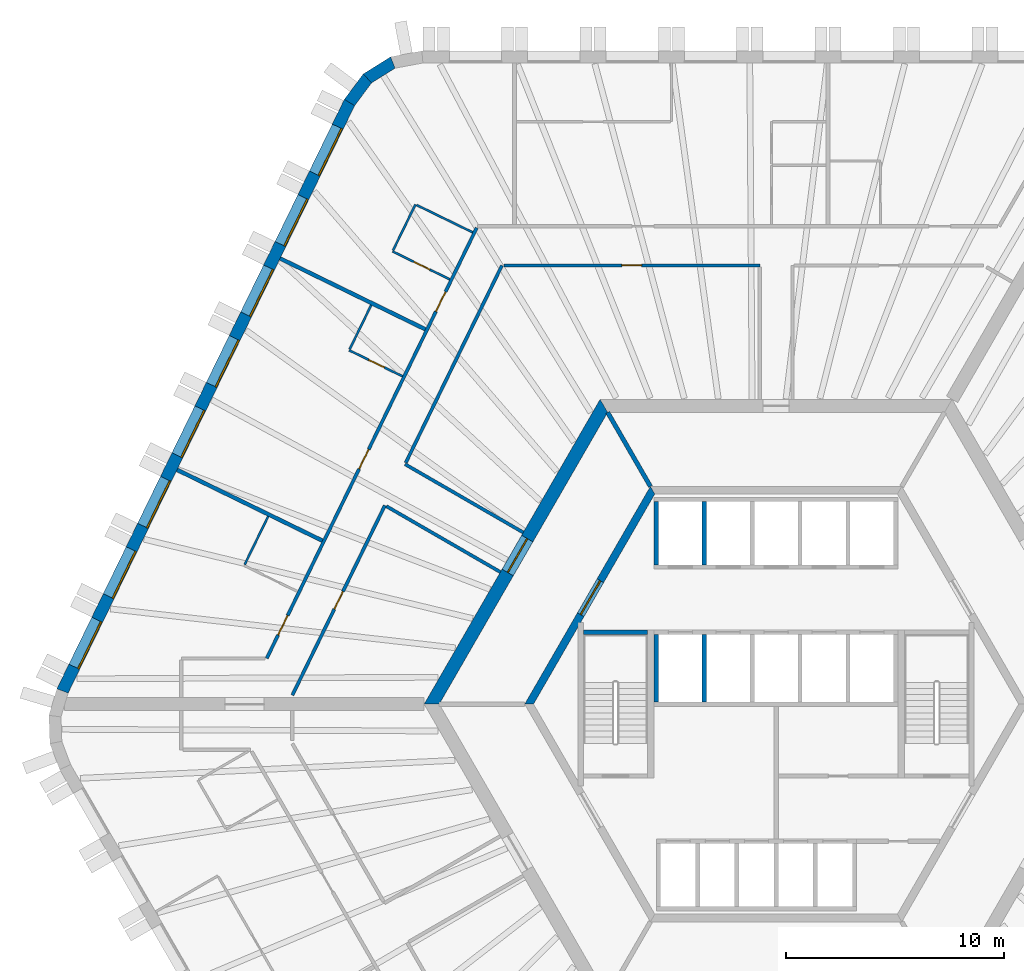
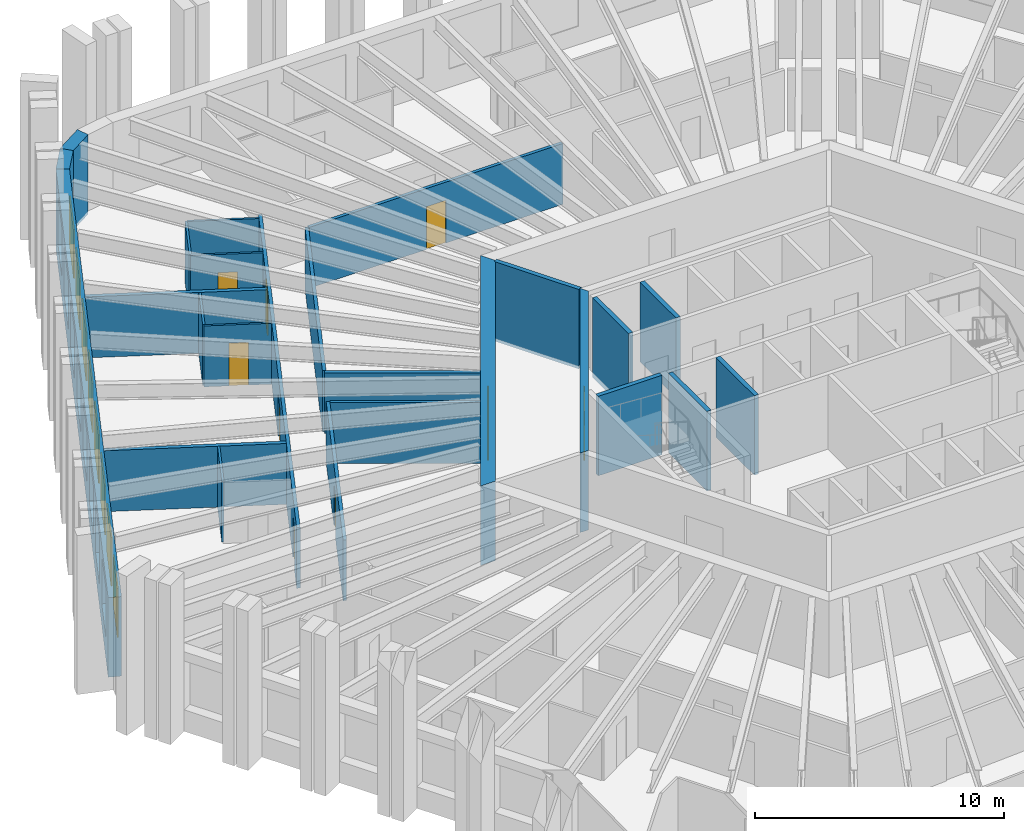
# One storey, part 7 of 12: 25 walls, 9 doors, 8 windows, 17 openings.
"""IFC4 building model written with IfcOpenShell, lengths in metres."""

from ifc_helpers import new_model, si_unit, direction, frame, frame_2d, origin, place, context, subcontext, project, spatial, polyline, rectangle, outline, extrude, material, layer, layer_set, type_object, element, fill, save


model = new_model("IFC4")

# Units and contexts
model_context = context("Model", 3, precision=1e-05, world=origin(), true_north=direction((0.0, 1.0)))
body_context = subcontext(model_context, "Body", "Model", "MODEL_VIEW")
ifc_project = project(units=[si_unit("LENGTHUNIT", "METRE"), si_unit("AREAUNIT", "SQUARE_METRE"), si_unit("VOLUMEUNIT", "CUBIC_METRE"), si_unit("PLANEANGLEUNIT", "RADIAN"), si_unit("MASSUNIT", "GRAM", prefix="KILO")], contexts=[model_context])

# Site, building, storey
site_placement = place(None, origin())
site = spatial("IfcSite", under=ifc_project, at=site_placement, CompositionType="ELEMENT")
building_placement = place(site_placement, origin())
building = spatial("IfcBuilding", under=site, at=building_placement, Name="Tarnside Tower", CompositionType="ELEMENT")
storey_placement = place(building_placement, frame((0.0, 0.0, 60.89990234375)))
storey = spatial("IfcBuildingStorey", under=building, at=storey_placement, Name="L12", CompositionType="ELEMENT", Elevation=60.89990234375)

# Wall, opening, door
ifc_material_1 = material(Name="Gypsum board partition on steel studs", Category="steel")
ifc_layer_1 = layer(ifc_material_1, 0.10009765625)
ifc_layer_set_1 = layer_set([ifc_layer_1], Name="Bathroom wall 100")
wall_type_1 = type_object("IfcWallType", Name="Bathroom wall 100", PredefinedType="PARTITIONING", material=ifc_layer_set_1)
wall_1_placement = place(storey_placement, frame((-14.98876953125, 19.51123046875, 0.0), z_axis=(0.0, 0.0, 1.0), x_axis=(-0.898790906006, 0.438377585285, 0.0)))
wall_1 = element("IfcWall", 1, at=wall_1_placement, inside=storey, type_object=wall_type_1, Name="Bathroom wall 03086", PredefinedType="PARTITIONING", context=body_context, shape_type="SweptSolid", body=[
    extrude(rectangle(XDim=2.925048828125, YDim=0.10009765625, at=frame_2d((1.46240234375, 0.0))), origin(), (0.0, 0.0, 1.0), 2.98779296875),
])
opening_1_placement = place(wall_1_placement, frame((1.02490234375, 0.0, 0.0)))
opening_1 = element("IfcOpeningElement", 2, at=opening_1_placement, cuts=wall_1, Name="Opening D-B1", PredefinedType="OPENING", context=body_context, shape_type="SweptSolid", body=[
    extrude(rectangle(XDim=0.800048828125, YDim=2.10009765625, at=frame_2d((0.39990234375, 1.050048828125))), frame((0.0, 0.06005859375, 0.0), z_axis=(0.0, -1.0, 0.0), x_axis=(1.0, 0.0, 0.0)), (0.0, 0.0, 1.0), 0.1201171875),
])
ifc_material_2 = material(Name="Timber door leaf", Category="wood")
door_type_1 = type_object("IfcDoorType", Name="Bathroom door 800", OperationType="NOTDEFINED", PredefinedType="DOOR", material=ifc_material_2)
door_1_placement = place(opening_1_placement, origin())
door_1 = element("IfcDoor", 3, at=door_1_placement, inside=storey, type_object=door_type_1, Name="Bathroom door 03008", OperationType="SINGLE_SWING_RIGHT", OverallHeight=2.10009765625, OverallWidth=0.800048828125, PredefinedType="DOOR", context=body_context, shape_type="SweptSolid", body=[
    extrude(rectangle(XDim=0.800048828125, YDim=2.10009765625, at=frame_2d((0.39990234375, 1.050048828125))), frame((0.0, 0.02490234375, 0.0), z_axis=(0.0, -1.0, 0.0), x_axis=(1.0, 0.0, 0.0)), (0.0, 0.0, 1.0), 0.050048828125),
])
fill(opening_1, door_1)

# Walls
wall_2_placement = place(storey_placement, frame((-17.595947265625, 20.83837890625, 0.0), z_axis=(0.0, 0.0, 1.0), x_axis=(0.438423632021, 0.898768445644, 0.0)))
element("IfcWall", 4, at=wall_2_placement, inside=storey, type_object=wall_type_1, Name="Bathroom wall 03087", PredefinedType="PARTITIONING", context=body_context, shape_type="SweptSolid", body=[
    extrude(rectangle(XDim=2.349853515625, YDim=0.10009765625, at=frame_2d((1.1748046875, 0.0))), origin(), (0.0, 0.0, 1.0), 2.98779296875),
])
wall_3_placement = place(storey_placement, frame((-16.520751953125, 22.9287109375, 0.0), z_axis=(0.0, 0.0, 1.0), x_axis=(0.898765997266, -0.438428651161, 0.0)))
element("IfcWall", 5, at=wall_3_placement, inside=storey, type_object=wall_type_1, Name="Bathroom wall 03088", PredefinedType="PARTITIONING", context=body_context, shape_type="SweptSolid", body=[
    extrude(rectangle(XDim=2.875, YDim=0.10009765625, at=frame_2d((1.4375, 0.0))), origin(), (0.0, 0.0, 1.0), 2.98779296875),
])

# Wall, opening, door
wall_4_placement = place(storey_placement, frame((-17.160888671875, 15.057861328125, 0.0), z_axis=(0.0, 0.0, 1.0), x_axis=(-0.898791692788, 0.43837597217, 0.0)))
wall_4 = element("IfcWall", 6, at=wall_4_placement, inside=storey, type_object=wall_type_1, Name="Bathroom wall 03091", PredefinedType="PARTITIONING", context=body_context, shape_type="SweptSolid", body=[
    extrude(rectangle(XDim=2.72509765625, YDim=0.10009765625, at=frame_2d((1.362548828125, 0.0))), origin(), (0.0, 0.0, 1.0), 2.98779296875),
])
opening_2_placement = place(wall_4_placement, frame((0.925048828125, 0.0, 0.0)))
opening_2 = element("IfcOpeningElement", 7, at=opening_2_placement, cuts=wall_4, Name="Opening D-B1", PredefinedType="OPENING", context=body_context, shape_type="SweptSolid", body=[
    extrude(rectangle(XDim=0.800048828125, YDim=2.10009765625, at=frame_2d((0.39990234375, 1.050048828125))), frame((0.0, 0.06005859375, 0.0), z_axis=(0.0, -1.0, 0.0), x_axis=(1.0, 0.0, 0.0)), (0.0, 0.0, 1.0), 0.1201171875),
])
door_2_placement = place(opening_2_placement, origin())
door_2 = element("IfcDoor", 8, at=door_2_placement, inside=storey, type_object=door_type_1, Name="Bathroom door 03010", OperationType="SINGLE_SWING_RIGHT", OverallHeight=2.10009765625, OverallWidth=0.800048828125, PredefinedType="DOOR", context=body_context, shape_type="SweptSolid", body=[
    extrude(rectangle(XDim=0.800048828125, YDim=2.10009765625, at=frame_2d((0.39990234375, 1.050048828125))), frame((0.0, 0.02490234375, 0.0), z_axis=(0.0, -1.0, 0.0), x_axis=(1.0, 0.0, 0.0)), (0.0, 0.0, 1.0), 0.050048828125),
])
fill(opening_2, door_2)

# Walls
wall_5_placement = place(storey_placement, frame((-19.588134765625, 16.29736328125, 0.0), z_axis=(0.0, 0.0, 1.0), x_axis=(0.438376807268, 0.898791285477, 0.0)))
element("IfcWall", 9, at=wall_5_placement, inside=storey, type_object=wall_type_1, Name="Bathroom wall 03092", PredefinedType="PARTITIONING", context=body_context, shape_type="SweptSolid", body=[
    extrude(rectangle(XDim=2.260009765625, YDim=0.10009765625, at=frame_2d((1.1298828125, 0.0))), origin(), (0.0, 0.0, 1.0), 2.98779296875),
])
wall_6_placement = place(storey_placement, frame((-24.41015625, 6.41064453125, 0.0), z_axis=(0.0, 0.0, 1.0), x_axis=(0.438378657462, 0.89879038306, 0.0)))
element("IfcWall", 10, at=wall_6_placement, inside=storey, type_object=wall_type_1, Name="Bathroom wall 03096", PredefinedType="PARTITIONING", context=body_context, shape_type="SweptSolid", body=[
    extrude(rectangle(XDim=2.4599609375, YDim=0.10009765625, at=frame_2d((1.22998046875, 0.0))), origin(), (0.0, 0.0, 1.0), 2.98779296875),
])

# Wall, opening, door
ifc_material_3 = material(Name="Concrete C50/60", Category="concrete")
ifc_layer_2 = layer(ifc_material_3, 0.35009765625)
ifc_layer_set_2 = layer_set([ifc_layer_2], Name="Core block wall 350 C50/60")
wall_type_2 = type_object("IfcWallType", Name="Core block wall 350 C50/60", PredefinedType="SHEAR", material=ifc_layer_set_2)
wall_7_placement = place(storey_placement, frame((-5.672607421875, 9.824951171875, -0.14990234375), z_axis=(0.0, 0.0, 1.0), x_axis=(-0.499995046907, -0.866028263435, 0.0)))
wall_7 = element("IfcWall", 11, at=wall_7_placement, inside=storey, type_object=wall_type_2, Name="L12 core block wall face 2", PredefinedType="SHEAR", context=body_context, shape_type="SweptSolid", body=[
    extrude(outline(polyline([(-0.10107421875, -0.175048828125), (11.44580078125, -0.175048828125), (11.24365234375, 0.175048828125), (0.10107421875, 0.175048828125), (-0.10107421875, -0.175048828125)])), origin(), (0.0, 0.0, 1.0), 3.89990234375),
])
opening_3_placement = place(wall_7_placement, frame((4.80126953125, 0.0, 0.14990234375)))
opening_3 = element("IfcOpeningElement", 12, at=opening_3_placement, cuts=wall_7, Name="Opening CD-LOB", PredefinedType="OPENING", context=body_context, shape_type="SweptSolid", body=[
    extrude(rectangle(XDim=1.800048828125, YDim=2.39990234375, at=frame_2d((0.89990234375, 1.199951171875))), frame((0.0, 0.18505859375, 0.0), z_axis=(0.0, -1.0, 0.0), x_axis=(1.0, 0.0, 0.0)), (0.0, 0.0, 1.0), 0.3701171875),
])
ifc_material_4 = material(Name="Steel fire door", Category="steel")
door_type_2 = type_object("IfcDoorType", Name="Lobby double door FD30S 1800x2400", OperationType="NOTDEFINED", PredefinedType="DOOR", material=ifc_material_4)
door_3_placement = place(opening_3_placement, origin())
door_3 = element("IfcDoor", 13, at=door_3_placement, inside=storey, type_object=door_type_2, Name="L12 lobby block door P1", OperationType="DOUBLE_DOOR_SINGLE_SWING", OverallHeight=2.39990234375, OverallWidth=1.800048828125, PredefinedType="DOOR", context=body_context, shape_type="SweptSolid", body=[
    extrude(rectangle(XDim=1.800048828125, YDim=2.39990234375, at=frame_2d((0.89990234375, 1.199951171875))), frame((0.0, 0.02490234375, 0.0), z_axis=(0.0, -1.0, 0.0), x_axis=(1.0, 0.0, 0.0)), (0.0, 0.0, 1.0), 0.050048828125),
])
fill(opening_3, door_3)

ifc_material_5 = material(Name="Concrete C80/95", Category="concrete")
ifc_layer_3 = layer(ifc_material_5, 0.60009765625)
ifc_layer_set_3 = layer_set([ifc_layer_3], Name="Core wall Z1 600 C80/95")
wall_type_3 = type_object("IfcWallType", Name="Core wall Z1 600 C80/95", PredefinedType="SHEAR", material=ifc_layer_set_3)
wall_8_placement = place(storey_placement, frame((-7.90966796875, 13.699951171875, -0.14990234375), z_axis=(0.0, 0.0, 1.0), x_axis=(-0.499999880136, -0.866025472988, 0.0)))
wall_8 = element("IfcWall", 14, at=wall_8_placement, inside=storey, type_object=wall_type_3, Name="L12 core wall face 2", PredefinedType="SHEAR", context=body_context, shape_type="SweptSolid", body=[
    extrude(outline(polyline([(-0.17333984375, -0.300048828125), (15.99267578125, -0.300048828125), (15.64599609375, 0.300048828125), (0.17333984375, 0.300048828125), (-0.17333984375, -0.300048828125)])), origin(), (0.0, 0.0, 1.0), 3.89990234375),
])
opening_4_placement = place(wall_8_placement, frame((7.03857421875, 0.0, 0.14990234375)))
opening_4 = element("IfcOpeningElement", 15, at=opening_4_placement, cuts=wall_8, Name="Opening CD-LOB", PredefinedType="OPENING", context=body_context, shape_type="SweptSolid", body=[
    extrude(rectangle(XDim=1.800048828125, YDim=2.39990234375, at=frame_2d((0.89990234375, 1.199951171875))), frame((0.0, 0.31005859375, 0.0), z_axis=(0.0, -1.0, 0.0), x_axis=(1.0, 0.0, 0.0)), (0.0, 0.0, 1.0), 0.6201171875),
])
door_4_placement = place(opening_4_placement, origin())
door_4 = element("IfcDoor", 16, at=door_4_placement, inside=storey, type_object=door_type_2, Name="L12 core door P1", OperationType="DOUBLE_DOOR_SINGLE_SWING", OverallHeight=2.39990234375, OverallWidth=1.800048828125, PredefinedType="DOOR", context=body_context, shape_type="SweptSolid", body=[
    extrude(rectangle(XDim=1.800048828125, YDim=2.39990234375, at=frame_2d((0.89990234375, 1.199951171875))), frame((0.0, 0.02490234375, 0.0), z_axis=(0.0, -1.0, 0.0), x_axis=(1.0, 0.0, 0.0)), (0.0, 0.0, 1.0), 0.050048828125),
])
fill(opening_4, door_4)

# Wall, openings, doors
ifc_layer_4 = layer(ifc_material_1, 0.14990234375)
ifc_layer_set_4 = layer_set([ifc_layer_4], Name="Corridor wall 150 EI 60")
wall_type_4 = type_object("IfcWallType", Name="Corridor wall 150 EI 60", PredefinedType="PARTITIONING", material=ifc_layer_set_4)
wall_9_placement = place(storey_placement, frame((-13.75244140625, 21.875, 0.0), z_axis=(0.0, 0.0, 1.0), x_axis=(-0.438376846054, -0.898791266559, 0.0)))
wall_9 = element("IfcWall", 17, at=wall_9_placement, inside=storey, type_object=wall_type_4, Name="Corridor wall 03007", PredefinedType="PARTITIONING", context=body_context, shape_type="SweptSolid", body=[
    extrude(rectangle(XDim=22.001708984375, YDim=0.14990234375, at=frame_2d((11.0009765625, 0.0))), origin(), (0.0, 0.0, 1.0), 2.98779296875),
])
opening_5_placement = place(wall_9_placement, frame((3.26904296875, 0.0, 0.0)))
opening_5 = element("IfcOpeningElement", 18, at=opening_5_placement, cuts=wall_9, Name="Opening D-E1", PredefinedType="OPENING", context=body_context, shape_type="SweptSolid", body=[
    extrude(rectangle(XDim=1.0, YDim=2.10009765625, at=frame_2d((0.5, 1.050048828125))), frame((0.0, 0.0849609375, 0.0), z_axis=(0.0, -1.0, 0.0), x_axis=(1.0, 0.0, 0.0)), (0.0, 0.0, 1.0), 0.169921875),
])
opening_6_placement = place(wall_9_placement, frame((11.3212890625, 0.0, 0.0)))
opening_6 = element("IfcOpeningElement", 19, at=opening_6_placement, cuts=wall_9, Name="Opening D-E1", PredefinedType="OPENING", context=body_context, shape_type="SweptSolid", body=[
    extrude(rectangle(XDim=1.0, YDim=2.10009765625, at=frame_2d((0.5, 1.050048828125))), frame((0.0, 0.0849609375, 0.0), z_axis=(0.0, -1.0, 0.0), x_axis=(1.0, 0.0, 0.0)), (0.0, 0.0, 1.0), 0.169921875),
])
opening_7_placement = place(wall_9_placement, frame((19.8115234375, 0.0, 0.0)))
opening_7 = element("IfcOpeningElement", 20, at=opening_7_placement, cuts=wall_9, Name="Opening D-E1", PredefinedType="OPENING", context=body_context, shape_type="SweptSolid", body=[
    extrude(rectangle(XDim=1.0, YDim=2.10009765625, at=frame_2d((0.5, 1.050048828125))), frame((0.0, 0.0849609375, 0.0), z_axis=(0.0, -1.0, 0.0), x_axis=(1.0, 0.0, 0.0)), (0.0, 0.0, 1.0), 0.169921875),
])
door_type_3 = type_object("IfcDoorType", Name="Unit entrance door 1000 FD30S", OperationType="NOTDEFINED", PredefinedType="DOOR", material=ifc_material_2)
door_5_placement = place(opening_5_placement, origin())
door_5 = element("IfcDoor", 21, at=door_5_placement, inside=storey, type_object=door_type_3, Name="Unit door 03007", OperationType="SINGLE_SWING_LEFT", OverallHeight=2.10009765625, OverallWidth=1.0, PredefinedType="DOOR", context=body_context, shape_type="SweptSolid", body=[
    extrude(rectangle(XDim=1.0, YDim=2.10009765625, at=frame_2d((0.5, 1.050048828125))), frame((0.0, 0.02490234375, 0.0), z_axis=(0.0, -1.0, 0.0), x_axis=(1.0, 0.0, 0.0)), (0.0, 0.0, 1.0), 0.050048828125),
])
fill(opening_5, door_5)
door_6_placement = place(opening_6_placement, origin())
door_6 = element("IfcDoor", 22, at=door_6_placement, inside=storey, type_object=door_type_3, Name="Unit door 03009", OperationType="SINGLE_SWING_LEFT", OverallHeight=2.10009765625, OverallWidth=1.0, PredefinedType="DOOR", context=body_context, shape_type="SweptSolid", body=[
    extrude(rectangle(XDim=1.0, YDim=2.10009765625, at=frame_2d((0.5, 1.050048828125))), frame((0.0, 0.02490234375, 0.0), z_axis=(0.0, -1.0, 0.0), x_axis=(1.0, 0.0, 0.0)), (0.0, 0.0, 1.0), 0.050048828125),
])
fill(opening_6, door_6)
door_7_placement = place(opening_7_placement, origin())
door_7 = element("IfcDoor", 23, at=door_7_placement, inside=storey, type_object=door_type_3, Name="Unit door 03011", OperationType="SINGLE_SWING_RIGHT", OverallHeight=2.10009765625, OverallWidth=1.0, PredefinedType="DOOR", context=body_context, shape_type="SweptSolid", body=[
    extrude(rectangle(XDim=1.0, YDim=2.10009765625, at=frame_2d((0.5, 1.050048828125))), frame((0.0, 0.02490234375, 0.0), z_axis=(0.0, -1.0, 0.0), x_axis=(1.0, 0.0, 0.0)), (0.0, 0.0, 1.0), 0.050048828125),
])
fill(opening_7, door_7)

# Walls
wall_10_placement = place(storey_placement, frame((-11.61376953125, 7.88427734375, 0.0), z_axis=(0.0, 0.0, 1.0), x_axis=(-0.866025438137, 0.4999999405, 0.0)))
element("IfcWall", 24, at=wall_10_placement, inside=storey, type_object=wall_type_4, Name="Corridor wall 03017", PredefinedType="PARTITIONING", context=body_context, shape_type="SweptSolid", body=[
    extrude(rectangle(XDim=6.2705078125, YDim=0.14990234375, at=frame_2d((3.13525390625, 0.0))), origin(), (0.0, 0.0, 1.0), 2.98779296875),
])
wall_11_placement = place(storey_placement, frame((-17.01123046875, 11.087158203125, 0.0), z_axis=(0.0, 0.0, 1.0), x_axis=(0.43836877185, 0.898795204631, 0.0)))
element("IfcWall", 25, at=wall_11_placement, inside=storey, type_object=wall_type_4, Name="Corridor wall 03018", PredefinedType="PARTITIONING", context=body_context, shape_type="SweptSolid", body=[
    extrude(rectangle(XDim=10.083251953125, YDim=0.14990234375, at=frame_2d((5.04150390625, 0.0))), origin(), (0.0, 0.0, 1.0), 2.98779296875),
])

# Wall, opening, door
wall_12_placement = place(storey_placement, frame((-12.507568359375, 20.14990234375, 0.0), z_axis=(0.0, 0.0, 1.0), x_axis=(1.0, 0.0, 0.0)))
wall_12 = element("IfcWall", 26, at=wall_12_placement, inside=storey, type_object=wall_type_4, Name="Corridor wall 03019", PredefinedType="PARTITIONING", context=body_context, shape_type="SweptSolid", body=[
    extrude(rectangle(XDim=11.757568359375, YDim=0.14990234375, at=frame_2d((5.87890625, 0.0))), origin(), (0.0, 0.0, 1.0), 2.98779296875),
])
opening_8_placement = place(wall_12_placement, frame((5.428955078125, 0.0, 0.0)))
opening_8 = element("IfcOpeningElement", 27, at=opening_8_placement, cuts=wall_12, Name="Opening D-S1", PredefinedType="OPENING", context=body_context, shape_type="SweptSolid", body=[
    extrude(rectangle(XDim=0.89990234375, YDim=2.10009765625, at=frame_2d((0.449951171875, 1.050048828125))), frame((0.0, 0.0849609375, 0.0), z_axis=(0.0, -1.0, 0.0), x_axis=(1.0, 0.0, 0.0)), (0.0, 0.0, 1.0), 0.169921875),
])
door_type_4 = type_object("IfcDoorType", Name="Service room door 900 FD30S", OperationType="NOTDEFINED", PredefinedType="DOOR", material=ifc_material_2)
door_8_placement = place(opening_8_placement, origin())
door_8 = element("IfcDoor", 28, at=door_8_placement, inside=storey, type_object=door_type_4, Name="Service door 03039", OperationType="SINGLE_SWING_RIGHT", OverallHeight=2.10009765625, OverallWidth=0.89990234375, PredefinedType="DOOR", context=body_context, shape_type="SweptSolid", body=[
    extrude(rectangle(XDim=0.89990234375, YDim=2.10009765625, at=frame_2d((0.449951171875, 1.050048828125))), frame((0.0, 0.02490234375, 0.0), z_axis=(0.0, -1.0, 0.0), x_axis=(1.0, 0.0, 0.0)), (0.0, 0.0, 1.0), 0.050048828125),
])
fill(opening_8, door_8)

wall_13_placement = place(storey_placement, frame((-22.218994140625, 0.41015625, 0.0), z_axis=(0.0, 0.0, 1.0), x_axis=(0.438391891827, 0.898783927972, 0.0)))
wall_13 = element("IfcWall", 29, at=wall_13_placement, inside=storey, type_object=wall_type_4, Name="Corridor wall 03024", PredefinedType="PARTITIONING", context=body_context, shape_type="SweptSolid", body=[
    extrude(rectangle(XDim=9.698974609375, YDim=0.14990234375, at=frame_2d((4.849609375, 0.0))), origin(), (0.0, 0.0, 1.0), 2.98779296875),
])
opening_9_placement = place(wall_13_placement, frame((4.399658203125, 0.0, 0.0)))
opening_9 = element("IfcOpeningElement", 30, at=opening_9_placement, cuts=wall_13, Name="Opening D-S1", PredefinedType="OPENING", context=body_context, shape_type="SweptSolid", body=[
    extrude(rectangle(XDim=0.89990234375, YDim=2.10009765625, at=frame_2d((0.449951171875, 1.050048828125))), frame((0.0, 0.0849609375, 0.0), z_axis=(0.0, -1.0, 0.0), x_axis=(1.0, 0.0, 0.0)), (0.0, 0.0, 1.0), 0.169921875),
])
door_9_placement = place(opening_9_placement, origin())
door_9 = element("IfcDoor", 31, at=door_9_placement, inside=storey, type_object=door_type_4, Name="Service door 03041", OperationType="SINGLE_SWING_LEFT", OverallHeight=2.10009765625, OverallWidth=0.89990234375, PredefinedType="DOOR", context=body_context, shape_type="SweptSolid", body=[
    extrude(rectangle(XDim=0.89990234375, YDim=2.10009765625, at=frame_2d((0.449951171875, 1.050048828125))), frame((0.0, 0.02490234375, 0.0), z_axis=(0.0, -1.0, 0.0), x_axis=(1.0, 0.0, 0.0)), (0.0, 0.0, 1.0), 0.050048828125),
])
fill(opening_9, door_9)

# Walls
wall_14_placement = place(storey_placement, frame((-17.902099609375, 9.08984375, 0.0), z_axis=(0.0, 0.0, 1.0), x_axis=(0.866036368755, -0.499981007633, 0.0)))
element("IfcWall", 32, at=wall_14_placement, inside=storey, type_object=wall_type_4, Name="Corridor wall 03025", PredefinedType="PARTITIONING", context=body_context, shape_type="SweptSolid", body=[
    extrude(rectangle(XDim=6.048583984375, YDim=0.14990234375, at=frame_2d((3.0244140625, 0.0))), origin(), (0.0, 0.0, 1.0), 2.98779296875),
])
ifc_layer_5 = layer(ifc_material_1, 0.179931640625)
ifc_layer_set_5 = layer_set([ifc_layer_5], Name="Demising wall 180 EI 60")
wall_type_5 = type_object("IfcWallType", Name="Demising wall 180 EI 60", PredefinedType="PARTITIONING", material=ifc_layer_set_5)
wall_15_placement = place(storey_placement, frame((-22.7822265625, 20.469970703125, 0.0), z_axis=(0.0, 0.0, 1.0), x_axis=(0.898783297359, -0.438393184697, 0.0)))
element("IfcWall", 33, at=wall_15_placement, inside=storey, type_object=wall_type_5, Name="Demising wall 03089", PredefinedType="PARTITIONING", context=body_context, shape_type="SweptSolid", body=[
    extrude(rectangle(XDim=7.425048828125, YDim=0.179931640625, at=frame_2d((3.71240234375, 0.0))), origin(), (0.0, 0.0, 1.0), 2.98779296875),
])
wall_16_placement = place(storey_placement, frame((-27.5166015625, 10.762939453125, 0.0), z_axis=(0.0, 0.0, 1.0), x_axis=(0.898789933843, -0.438379578473, 0.0)))
element("IfcWall", 34, at=wall_16_placement, inside=storey, type_object=wall_type_5, Name="Demising wall 03093", PredefinedType="PARTITIONING", context=body_context, shape_type="SweptSolid", body=[
    extrude(rectangle(XDim=7.4248046875, YDim=0.179931640625, at=frame_2d((3.71240234375, 0.0))), origin(), (0.0, 0.0, 1.0), 2.98779296875),
])
ifc_material_6 = material(Name="Concrete C40/50", Category="concrete")
ifc_layer_6 = layer(ifc_material_6, 0.199951171875)
ifc_layer_set_6 = layer_set([ifc_layer_6], Name="Lift shaft wall 200 C40/50")
wall_type_6 = type_object("IfcWallType", Name="Lift shaft wall 200 C40/50", PredefinedType="SHEAR", material=ifc_layer_set_6)
for number, where, z_axis, x_axis, name in (
    (35, (-5.5, 6.39990234375, -0.25), (0.0, 0.0, 1.0), (0.0, 1.0, 0.0), "L12 lift shaft partition R11"),
    (36, (-3.300048828125, 6.39990234375, -0.25), (0.0, 0.0, 1.0), (0.0, 1.0, 0.0), "L12 lift shaft partition R12"),
):
    element("IfcWall", number, at=place(storey_placement, frame(where, z_axis=z_axis, x_axis=x_axis)), inside=storey, type_object=wall_type_6, Name=name, PredefinedType="SHEAR", context=body_context, shape_type="SweptSolid", body=[
        extrude(rectangle(XDim=2.900146484375, YDim=0.199951171875, at=frame_2d((1.4501953125, 0.0))), origin(), (0.0, 0.0, 1.0), 3.900146484375),
    ])
for number, where, z_axis, x_axis, name in (
    (37, (-5.5, 0.10009765625, -0.25), (0.0, 0.0, 1.0), (0.0, 1.0, 0.0), "L12 lift shaft partition R21"),
    (38, (-3.300048828125, 0.10009765625, -0.25), (0.0, 0.0, 1.0), (0.0, 1.0, 0.0), "L12 lift shaft partition R22"),
):
    element("IfcWall", number, at=place(storey_placement, frame(where, z_axis=z_axis, x_axis=x_axis)), inside=storey, type_object=wall_type_6, Name=name, PredefinedType="SHEAR", context=body_context, shape_type="SweptSolid", body=[
        extrude(rectangle(XDim=3.099853515625, YDim=0.199951171875, at=frame_2d((1.5498046875, 0.0))), origin(), (0.0, 0.0, 1.0), 3.900146484375),
    ])
wall_17_placement = place(storey_placement, frame((-5.7734375, 10.0, -0.14990234375), z_axis=(0.0, 0.0, 1.0), x_axis=(-0.500038251005, 0.86600331843, 0.0)))
element("IfcWall", 39, at=wall_17_placement, inside=storey, type_object=wall_type_6, Name="L12 core partition AR120", PredefinedType="SHEAR", context=body_context, shape_type="SweptSolid", body=[
    extrude(rectangle(XDim=3.926025390625, YDim=0.199951171875, at=frame_2d((1.962890625, 0.0))), origin(), (0.0, 0.0, 1.0), 3.89990234375),
])
wall_18_placement = place(storey_placement, frame((-8.85009765625, 3.300048828125, -0.25), z_axis=(0.0, 0.0, 1.0), x_axis=(1.0, 0.0, 0.0)))
element("IfcWall", 40, at=wall_18_placement, inside=storey, type_object=wall_type_6, Name="L12 stair 2 enclosure cap wall n", PredefinedType="SHEAR", context=body_context, shape_type="SweptSolid", body=[
    extrude(rectangle(XDim=2.9501953125, YDim=0.199951171875, at=frame_2d((1.47509765625, 0.0))), origin(), (0.0, 0.0, 1.0), 3.900146484375),
])
ifc_material_7 = material(Name="Facing brick", Category="masonry")
ifc_layer_7 = layer(ifc_material_7, 0.10205078125)
ifc_material_8 = material(Name="Concrete C60/75 precast", Category="concrete")
ifc_layer_8 = layer(ifc_material_8, 0.347900390625)
ifc_material_9 = material(Name="Mineral wool insulation")
ifc_layer_9 = layer(ifc_material_9, 0.10009765625)
ifc_layer_set_7 = layer_set([ifc_layer_7, ifc_layer_8, ifc_layer_9], Name="Tube wall 550 brick faced")
wall_type_7 = type_object("IfcWallType", Name="Tube wall 550 brick faced", PredefinedType="SOLIDWALL", material=ifc_layer_set_7)
wall_19_placement = place(storey_placement, frame((-17.601806640625, 29.4697265625, -0.14990234375), z_axis=(0.0, 0.0, 1.0), x_axis=(-0.848057977594, -0.5299034503, 0.0)))
element("IfcWall", 41, at=wall_19_placement, inside=storey, type_object=wall_type_7, Name="Tube wall L12 F1 chord 02", PredefinedType="SOLIDWALL", context=body_context, shape_type="SweptSolid", body=[
    extrude(outline(polyline([(-0.0517578125, -0.27490234375), (1.4306640625, -0.27490234375), (1.3271484375, 0.27490234375), (0.0517578125, 0.27490234375), (-0.0517578125, -0.27490234375)])), origin(), (0.0, 0.0, 1.0), 3.89990234375),
])
wall_20_placement = place(storey_placement, frame((-18.771240234375, 28.739013671875, -0.14990234375), z_axis=(0.0, 0.0, 1.0), x_axis=(-0.597135295884, -0.802140535324, 0.0)))
element("IfcWall", 42, at=wall_20_placement, inside=storey, type_object=wall_type_7, Name="Tube wall L12 F1 chord 03", PredefinedType="SOLIDWALL", context=body_context, shape_type="SweptSolid", body=[
    extrude(outline(polyline([(-0.0517578125, -0.27490234375), (1.40478515625, -0.27490234375), (1.353515625, 0.27490234375), (0.0517578125, 0.27490234375), (-0.0517578125, -0.27490234375)])), origin(), (0.0, 0.0, 1.0), 3.89990234375),
])

# Wall, openings, windows
wall_21_placement = place(storey_placement, frame((-19.5947265625, 27.6328125, -0.14990234375), z_axis=(0.0, 0.0, 1.0), x_axis=(-0.438368285794, -0.898795441694, 0.0)))
wall_21 = element("IfcWall", 43, at=wall_21_placement, inside=storey, type_object=wall_type_7, Name="Tube wall L12 F2 flush 04", PredefinedType="SOLIDWALL", context=body_context, shape_type="SweptSolid", body=[
    extrude(outline(polyline([(-0.025634765625, -0.27490234375), (30.09326171875, -0.27490234375), (30.04833984375, 0.27490234375), (0.025634765625, 0.27490234375), (-0.025634765625, -0.27490234375)])), origin(), (0.0, 0.0, 1.0), 3.89990234375),
])
opening_10_placement = place(wall_21_placement, frame((1.235595703125, 0.0, 1.050048828125)))
opening_10 = element("IfcOpeningElement", 44, at=opening_10_placement, cuts=wall_21, Name="Opening WH", PredefinedType="OPENING", context=body_context, shape_type="SweptSolid", body=[
    extrude(rectangle(XDim=2.39990234375, YDim=2.39990234375, at=frame_2d((1.199951171875, 1.199951171875))), frame((0.0, 0.28515625, 0.0), z_axis=(0.0, -1.0, 0.0), x_axis=(1.0, 0.0, 0.0)), (0.0, 0.0, 1.0), 0.570068359375),
])
opening_11_placement = place(wall_21_placement, frame((4.83544921875, 0.0, 1.050048828125)))
opening_11 = element("IfcOpeningElement", 45, at=opening_11_placement, cuts=wall_21, Name="Opening WH", PredefinedType="OPENING", context=body_context, shape_type="SweptSolid", body=[
    extrude(rectangle(XDim=2.39990234375, YDim=2.39990234375, at=frame_2d((1.199951171875, 1.199951171875))), frame((0.0, 0.28515625, 0.0), z_axis=(0.0, -1.0, 0.0), x_axis=(1.0, 0.0, 0.0)), (0.0, 0.0, 1.0), 0.570068359375),
])
opening_12_placement = place(wall_21_placement, frame((8.435546875, 0.0, 1.050048828125)))
opening_12 = element("IfcOpeningElement", 46, at=opening_12_placement, cuts=wall_21, Name="Opening WH", PredefinedType="OPENING", context=body_context, shape_type="SweptSolid", body=[
    extrude(rectangle(XDim=2.39990234375, YDim=2.39990234375, at=frame_2d((1.199951171875, 1.199951171875))), frame((0.0, 0.28515625, 0.0), z_axis=(0.0, -1.0, 0.0), x_axis=(1.0, 0.0, 0.0)), (0.0, 0.0, 1.0), 0.570068359375),
])
opening_13_placement = place(wall_21_placement, frame((12.035400390625, 0.0, 1.050048828125)))
opening_13 = element("IfcOpeningElement", 47, at=opening_13_placement, cuts=wall_21, Name="Opening WH", PredefinedType="OPENING", context=body_context, shape_type="SweptSolid", body=[
    extrude(rectangle(XDim=2.39990234375, YDim=2.39990234375, at=frame_2d((1.199951171875, 1.199951171875))), frame((0.0, 0.28515625, 0.0), z_axis=(0.0, -1.0, 0.0), x_axis=(1.0, 0.0, 0.0)), (0.0, 0.0, 1.0), 0.570068359375),
])
opening_14_placement = place(wall_21_placement, frame((15.635498046875, 0.0, 1.050048828125)))
opening_14 = element("IfcOpeningElement", 48, at=opening_14_placement, cuts=wall_21, Name="Opening WH", PredefinedType="OPENING", context=body_context, shape_type="SweptSolid", body=[
    extrude(rectangle(XDim=2.39990234375, YDim=2.39990234375, at=frame_2d((1.199951171875, 1.199951171875))), frame((0.0, 0.28515625, 0.0), z_axis=(0.0, -1.0, 0.0), x_axis=(1.0, 0.0, 0.0)), (0.0, 0.0, 1.0), 0.570068359375),
])
opening_15_placement = place(wall_21_placement, frame((19.235595703125, 0.0, 1.050048828125)))
opening_15 = element("IfcOpeningElement", 49, at=opening_15_placement, cuts=wall_21, Name="Opening WH", PredefinedType="OPENING", context=body_context, shape_type="SweptSolid", body=[
    extrude(rectangle(XDim=2.39990234375, YDim=2.39990234375, at=frame_2d((1.199951171875, 1.199951171875))), frame((0.0, 0.28515625, 0.0), z_axis=(0.0, -1.0, 0.0), x_axis=(1.0, 0.0, 0.0)), (0.0, 0.0, 1.0), 0.570068359375),
])
opening_16_placement = place(wall_21_placement, frame((22.83544921875, 0.0, 1.050048828125)))
opening_16 = element("IfcOpeningElement", 50, at=opening_16_placement, cuts=wall_21, Name="Opening WH", PredefinedType="OPENING", context=body_context, shape_type="SweptSolid", body=[
    extrude(rectangle(XDim=2.39990234375, YDim=2.39990234375, at=frame_2d((1.199951171875, 1.199951171875))), frame((0.0, 0.28515625, 0.0), z_axis=(0.0, -1.0, 0.0), x_axis=(1.0, 0.0, 0.0)), (0.0, 0.0, 1.0), 0.570068359375),
])
opening_17_placement = place(wall_21_placement, frame((26.435546875, 0.0, 1.050048828125)))
opening_17 = element("IfcOpeningElement", 51, at=opening_17_placement, cuts=wall_21, Name="Opening WH", PredefinedType="OPENING", context=body_context, shape_type="SweptSolid", body=[
    extrude(rectangle(XDim=2.39990234375, YDim=2.39990234375, at=frame_2d((1.199951171875, 1.199951171875))), frame((0.0, 0.28515625, 0.0), z_axis=(0.0, -1.0, 0.0), x_axis=(1.0, 0.0, 0.0)), (0.0, 0.0, 1.0), 0.570068359375),
])
ifc_material_10 = material(Name="Aluminium-framed double glazing", Category="aluminium")
window_type = type_object("IfcWindowType", Name="Hotel window 2400 x 2400", PartitioningType="DOUBLE_PANEL_VERTICAL", PredefinedType="WINDOW", material=ifc_material_10)
window_1_placement = place(opening_10_placement, frame((0.0, 0.205078125, 0.0)))
window_1 = element("IfcWindow", 52, at=window_1_placement, inside=storey, type_object=window_type, Name="E.WN.L12.F2.00", OverallHeight=2.39990234375, OverallWidth=2.39990234375, PartitioningType="DOUBLE_PANEL_VERTICAL", PredefinedType="WINDOW", context=body_context, shape_type="SweptSolid", body=[
    extrude(rectangle(XDim=2.39990234375, YDim=2.39990234375, at=frame_2d((1.199951171875, 1.199951171875))), frame((0.0, 0.030029296875, 0.0), z_axis=(0.0, -1.0, 0.0), x_axis=(1.0, 0.0, 0.0)), (0.0, 0.0, 1.0), 0.06005859375),
])
fill(opening_10, window_1)
window_2_placement = place(opening_11_placement, frame((0.0, 0.205078125, 0.0)))
window_2 = element("IfcWindow", 53, at=window_2_placement, inside=storey, type_object=window_type, Name="E.WN.L12.F2.01", OverallHeight=2.39990234375, OverallWidth=2.39990234375, PartitioningType="DOUBLE_PANEL_VERTICAL", PredefinedType="WINDOW", context=body_context, shape_type="SweptSolid", body=[
    extrude(rectangle(XDim=2.39990234375, YDim=2.39990234375, at=frame_2d((1.199951171875, 1.199951171875))), frame((0.0, 0.030029296875, 0.0), z_axis=(0.0, -1.0, 0.0), x_axis=(1.0, 0.0, 0.0)), (0.0, 0.0, 1.0), 0.06005859375),
])
fill(opening_11, window_2)
window_3_placement = place(opening_12_placement, frame((0.0, 0.205078125, 0.0)))
window_3 = element("IfcWindow", 54, at=window_3_placement, inside=storey, type_object=window_type, Name="E.WN.L12.F2.02", OverallHeight=2.39990234375, OverallWidth=2.39990234375, PartitioningType="DOUBLE_PANEL_VERTICAL", PredefinedType="WINDOW", context=body_context, shape_type="SweptSolid", body=[
    extrude(rectangle(XDim=2.39990234375, YDim=2.39990234375, at=frame_2d((1.199951171875, 1.199951171875))), frame((0.0, 0.030029296875, 0.0), z_axis=(0.0, -1.0, 0.0), x_axis=(1.0, 0.0, 0.0)), (0.0, 0.0, 1.0), 0.06005859375),
])
fill(opening_12, window_3)
window_4_placement = place(opening_13_placement, frame((0.0, 0.205078125, 0.0)))
window_4 = element("IfcWindow", 55, at=window_4_placement, inside=storey, type_object=window_type, Name="E.WN.L12.F2.03", OverallHeight=2.39990234375, OverallWidth=2.39990234375, PartitioningType="DOUBLE_PANEL_VERTICAL", PredefinedType="WINDOW", context=body_context, shape_type="SweptSolid", body=[
    extrude(rectangle(XDim=2.39990234375, YDim=2.39990234375, at=frame_2d((1.199951171875, 1.199951171875))), frame((0.0, 0.030029296875, 0.0), z_axis=(0.0, -1.0, 0.0), x_axis=(1.0, 0.0, 0.0)), (0.0, 0.0, 1.0), 0.06005859375),
])
fill(opening_13, window_4)
window_5_placement = place(opening_14_placement, frame((0.0, 0.205078125, 0.0)))
window_5 = element("IfcWindow", 56, at=window_5_placement, inside=storey, type_object=window_type, Name="E.WN.L12.F2.04", OverallHeight=2.39990234375, OverallWidth=2.39990234375, PartitioningType="DOUBLE_PANEL_VERTICAL", PredefinedType="WINDOW", context=body_context, shape_type="SweptSolid", body=[
    extrude(rectangle(XDim=2.39990234375, YDim=2.39990234375, at=frame_2d((1.199951171875, 1.199951171875))), frame((0.0, 0.030029296875, 0.0), z_axis=(0.0, -1.0, 0.0), x_axis=(1.0, 0.0, 0.0)), (0.0, 0.0, 1.0), 0.06005859375),
])
fill(opening_14, window_5)
window_6_placement = place(opening_15_placement, frame((0.0, 0.205078125, 0.0)))
window_6 = element("IfcWindow", 57, at=window_6_placement, inside=storey, type_object=window_type, Name="E.WN.L12.F2.05", OverallHeight=2.39990234375, OverallWidth=2.39990234375, PartitioningType="DOUBLE_PANEL_VERTICAL", PredefinedType="WINDOW", context=body_context, shape_type="SweptSolid", body=[
    extrude(rectangle(XDim=2.39990234375, YDim=2.39990234375, at=frame_2d((1.199951171875, 1.199951171875))), frame((0.0, 0.030029296875, 0.0), z_axis=(0.0, -1.0, 0.0), x_axis=(1.0, 0.0, 0.0)), (0.0, 0.0, 1.0), 0.06005859375),
])
fill(opening_15, window_6)
window_7_placement = place(opening_16_placement, frame((0.0, 0.205078125, 0.0)))
window_7 = element("IfcWindow", 58, at=window_7_placement, inside=storey, type_object=window_type, Name="E.WN.L12.F2.06", OverallHeight=2.39990234375, OverallWidth=2.39990234375, PartitioningType="DOUBLE_PANEL_VERTICAL", PredefinedType="WINDOW", context=body_context, shape_type="SweptSolid", body=[
    extrude(rectangle(XDim=2.39990234375, YDim=2.39990234375, at=frame_2d((1.199951171875, 1.199951171875))), frame((0.0, 0.030029296875, 0.0), z_axis=(0.0, -1.0, 0.0), x_axis=(1.0, 0.0, 0.0)), (0.0, 0.0, 1.0), 0.06005859375),
])
fill(opening_16, window_7)
window_8_placement = place(opening_17_placement, frame((0.0, 0.205078125, 0.0)))
window_8 = element("IfcWindow", 59, at=window_8_placement, inside=storey, type_object=window_type, Name="E.WN.L12.F2.07", OverallHeight=2.39990234375, OverallWidth=2.39990234375, PartitioningType="DOUBLE_PANEL_VERTICAL", PredefinedType="WINDOW", context=body_context, shape_type="SweptSolid", body=[
    extrude(rectangle(XDim=2.39990234375, YDim=2.39990234375, at=frame_2d((1.199951171875, 1.199951171875))), frame((0.0, 0.030029296875, 0.0), z_axis=(0.0, -1.0, 0.0), x_axis=(1.0, 0.0, 0.0)), (0.0, 0.0, 1.0), 0.06005859375),
])
fill(opening_17, window_8)

save(model, "model.ifc")
